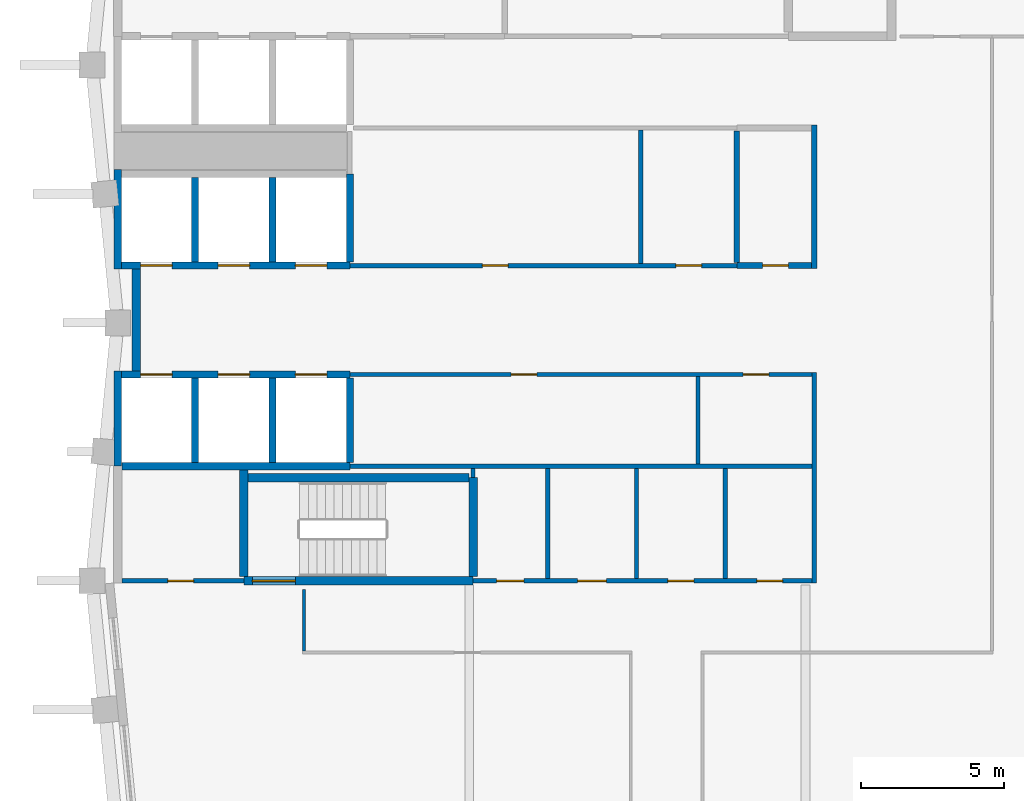
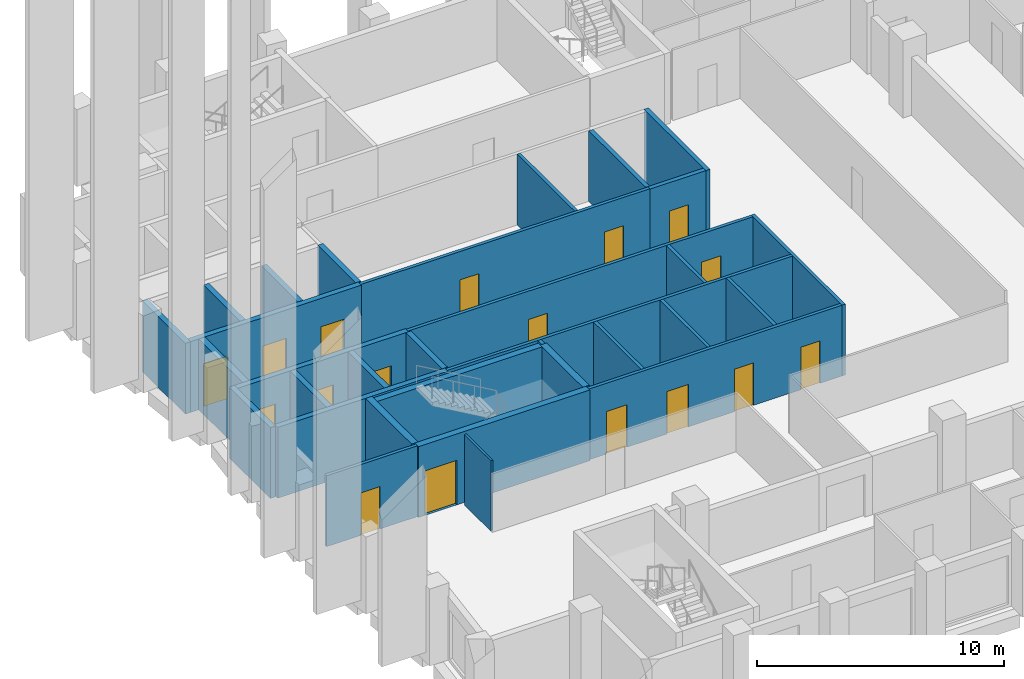
# One storey, part 5 of 11: 32 walls, 17 doors, 17 openings.
"""IFC4 building model written with IfcOpenShell, lengths in metres."""

from ifc_helpers import new_model, si_unit, direction, frame, frame_2d, origin, place, context, subcontext, project, spatial, rectangle, extrude, material, layer, layer_set, type_object, element, fill, save


model = new_model("IFC4")

# Units and contexts
model_context = context("Model", 3, precision=1e-05, world=origin(), true_north=direction((0.0, 1.0)))
body_context = subcontext(model_context, "Body", "Model", "MODEL_VIEW")
ifc_project = project(units=[si_unit("LENGTHUNIT", "METRE"), si_unit("AREAUNIT", "SQUARE_METRE"), si_unit("VOLUMEUNIT", "CUBIC_METRE"), si_unit("PLANEANGLEUNIT", "RADIAN"), si_unit("MASSUNIT", "GRAM", prefix="KILO")], contexts=[model_context])

# Site, building, storey
site_placement = place(None, origin())
site = spatial("IfcSite", under=ifc_project, at=site_placement, CompositionType="ELEMENT")
building_placement = place(site_placement, origin())
building = spatial("IfcBuilding", under=site, at=building_placement, Name="Brondeck Convention Tower", CompositionType="ELEMENT")
storey_placement = place(building_placement, frame((0.0, 0.0, 252.39990234375)))
storey = spatial("IfcBuildingStorey", under=building, at=storey_placement, Name="L62", CompositionType="ELEMENT", Elevation=252.39990234375)

# Wall, openings, doors
ifc_material_1 = material(Name="Concrete C50/60", Category="concrete")
ifc_layer_1 = layer(ifc_material_1, 0.14990234375)
ifc_layer_set_1 = layer_set([ifc_layer_1], Name="Core beam-seat wall 150 Concrete C50/60")
wall_type_1 = type_object("IfcWallType", Name="Core beam-seat wall 150 Concrete C50/60", PredefinedType="SHEAR", material=ifc_layer_set_1)
wall_1_placement = place(storey_placement, frame((12.39990234375, 36.0, 0.0), z_axis=(0.0, 0.0, 1.0), x_axis=(1.0, 0.0, 0.0)))
wall_1 = element("IfcWall", 1, at=wall_1_placement, inside=storey, type_object=wall_type_1, Name="L62 core wall", PredefinedType="SHEAR", context=body_context, shape_type="SweptSolid", body=[
    extrude(rectangle(XDim=11.8251953125, YDim=0.14990234375, at=frame_2d((5.91259765625, 0.0))), origin(), (0.0, 0.0, 1.0), 3.5),
])
opening_1_placement = place(wall_1_placement, frame((0.824951171875, 0.0, 0.0)))
opening_1 = element("IfcOpeningElement", 2, at=opening_1_placement, cuts=wall_1, Name="Opening C34-03", PredefinedType="OPENING", context=body_context, shape_type="SweptSolid", body=[
    extrude(rectangle(XDim=0.949951171875, YDim=2.10009765625, at=frame_2d((0.47509765625, 1.050048828125))), frame((0.0, 0.0849609375, 0.0), z_axis=(0.0, -1.0, 0.0), x_axis=(1.0, 0.0, 0.0)), (0.0, 0.0, 1.0), 0.169921875),
])
opening_2_placement = place(wall_1_placement, frame((3.64990234375, 0.0, 0.0)))
opening_2 = element("IfcOpeningElement", 3, at=opening_2_placement, cuts=wall_1, Name="Opening C34-04", PredefinedType="OPENING", context=body_context, shape_type="SweptSolid", body=[
    extrude(rectangle(XDim=1.0, YDim=2.10009765625, at=frame_2d((0.5, 1.050048828125))), frame((0.0, 0.0849609375, 0.0), z_axis=(0.0, -1.0, 0.0), x_axis=(1.0, 0.0, 0.0)), (0.0, 0.0, 1.0), 0.169921875),
])
opening_3_placement = place(wall_1_placement, frame((6.800048828125, 0.0, 0.0)))
opening_3 = element("IfcOpeningElement", 4, at=opening_3_placement, cuts=wall_1, Name="Opening C34-05", PredefinedType="OPENING", context=body_context, shape_type="SweptSolid", body=[
    extrude(rectangle(XDim=0.89990234375, YDim=2.10009765625, at=frame_2d((0.449951171875, 1.050048828125))), frame((0.0, 0.0849609375, 0.0), z_axis=(0.0, -1.0, 0.0), x_axis=(1.0, 0.0, 0.0)), (0.0, 0.0, 1.0), 0.169921875),
])
opening_4_placement = place(wall_1_placement, frame((9.89990234375, 0.0, 0.0)))
opening_4 = element("IfcOpeningElement", 5, at=opening_4_placement, cuts=wall_1, Name="Opening C34-06", PredefinedType="OPENING", context=body_context, shape_type="SweptSolid", body=[
    extrude(rectangle(XDim=0.89990234375, YDim=2.10009765625, at=frame_2d((0.449951171875, 1.050048828125))), frame((0.0, 0.0849609375, 0.0), z_axis=(0.0, -1.0, 0.0), x_axis=(1.0, 0.0, 0.0)), (0.0, 0.0, 1.0), 0.169921875),
])
ifc_material_2 = material(Name="Steel fire door", Category="steel")
door_type_1 = type_object("IfcDoorType", Name="Room door 1000x2100 EI 60", OperationType="NOTDEFINED", PredefinedType="DOOR", material=ifc_material_2)
door_1_placement = place(opening_2_placement, origin())
door_1 = element("IfcDoor", 6, at=door_1_placement, inside=storey, type_object=door_type_1, Name="L62 Room door FR-2", OperationType="SINGLE_SWING_LEFT", OverallHeight=2.10009765625, OverallWidth=1.0, PredefinedType="DOOR", context=body_context, shape_type="SweptSolid", body=[
    extrude(rectangle(XDim=1.0, YDim=2.10009765625, at=frame_2d((0.5, 1.050048828125))), frame((0.0, 0.02490234375, 0.0), z_axis=(0.0, -1.0, 0.0), x_axis=(1.0, 0.0, 0.0)), (0.0, 0.0, 1.0), 0.050048828125),
])
fill(opening_2, door_1)
door_type_2 = type_object("IfcDoorType", Name="Room door 900x2100 EI 60", OperationType="NOTDEFINED", PredefinedType="DOOR", material=ifc_material_2)
door_2_placement = place(opening_3_placement, origin())
door_2 = element("IfcDoor", 7, at=door_2_placement, inside=storey, type_object=door_type_2, Name="L62 Room door FR-3", OperationType="SINGLE_SWING_RIGHT", OverallHeight=2.10009765625, OverallWidth=0.89990234375, PredefinedType="DOOR", context=body_context, shape_type="SweptSolid", body=[
    extrude(rectangle(XDim=0.89990234375, YDim=2.10009765625, at=frame_2d((0.449951171875, 1.050048828125))), frame((0.0, 0.02490234375, 0.0), z_axis=(0.0, -1.0, 0.0), x_axis=(1.0, 0.0, 0.0)), (0.0, 0.0, 1.0), 0.050048828125),
])
fill(opening_3, door_2)
door_3_placement = place(opening_4_placement, origin())
door_3 = element("IfcDoor", 8, at=door_3_placement, inside=storey, type_object=door_type_2, Name="L62 Room door FR-4", OperationType="SINGLE_SWING_LEFT", OverallHeight=2.10009765625, OverallWidth=0.89990234375, PredefinedType="DOOR", context=body_context, shape_type="SweptSolid", body=[
    extrude(rectangle(XDim=0.89990234375, YDim=2.10009765625, at=frame_2d((0.449951171875, 1.050048828125))), frame((0.0, 0.02490234375, 0.0), z_axis=(0.0, -1.0, 0.0), x_axis=(1.0, 0.0, 0.0)), (0.0, 0.0, 1.0), 0.050048828125),
])
fill(opening_4, door_3)
door_type_3 = type_object("IfcDoorType", Name="Room door 950x2100 EI 60", OperationType="NOTDEFINED", PredefinedType="DOOR", material=ifc_material_2)
door_4_placement = place(opening_1_placement, origin())
door_4 = element("IfcDoor", 9, at=door_4_placement, inside=storey, type_object=door_type_3, Name="L62 Room door FR-1", OperationType="SINGLE_SWING_RIGHT", OverallHeight=2.10009765625, OverallWidth=0.949951171875, PredefinedType="DOOR", context=body_context, shape_type="SweptSolid", body=[
    extrude(rectangle(XDim=0.949951171875, YDim=2.10009765625, at=frame_2d((0.47509765625, 1.050048828125))), frame((0.0, 0.02490234375, 0.0), z_axis=(0.0, -1.0, 0.0), x_axis=(1.0, 0.0, 0.0)), (0.0, 0.0, 1.0), 0.050048828125),
])
fill(opening_1, door_4)

# Walls
ifc_layer_2 = layer(ifc_material_1, 0.199951171875)
ifc_layer_set_2 = layer_set([ifc_layer_2], Name="Core beam-seat wall 200 Concrete C50/60")
wall_type_2 = type_object("IfcWallType", Name="Core beam-seat wall 200 Concrete C50/60", PredefinedType="SHEAR", material=ifc_layer_set_2)
wall_2_placement = place(storey_placement, frame((24.300048828125, 46.89990234375, 0.0), z_axis=(0.0, 0.0, 1.0), x_axis=(0.0, 1.0, 0.0)))
element("IfcWall", 10, at=wall_2_placement, inside=storey, type_object=wall_type_2, Name="L62 core wall", PredefinedType="SHEAR", context=body_context, shape_type="SweptSolid", body=[
    extrude(rectangle(XDim=5.0, YDim=0.199951171875, at=frame_2d((2.5, 0.0))), origin(), (0.0, 0.0, 1.0), 3.5),
])
ifc_layer_3 = layer(ifc_material_1, 0.300048828125)
ifc_layer_set_3 = layer_set([ifc_layer_3], Name="Core outer wall 300 Concrete C50/60")
wall_type_3 = type_object("IfcWallType", Name="Core outer wall 300 Concrete C50/60", PredefinedType="SHEAR", material=ifc_layer_set_3)
wall_3_placement = place(storey_placement, frame((0.64990234375, 43.324951171875, 0.0), z_axis=(0.0, 0.0, 1.0), x_axis=(0.0, 1.0, 0.0)))
element("IfcWall", 11, at=wall_3_placement, inside=storey, type_object=wall_type_3, Name="L62 core wall", PredefinedType="SHEAR", context=body_context, shape_type="SweptSolid", body=[
    extrude(rectangle(XDim=3.550048828125, YDim=0.300048828125, at=frame_2d((1.77490234375, 0.0))), origin(), (0.0, 0.0, 1.0), 3.5),
])

# Wall, opening, door
ifc_material_3 = material(Name="Fire-rated gypsum board partition")
ifc_layer_4 = layer(ifc_material_3, 0.14990234375)
ifc_layer_set_4 = layer_set([ifc_layer_4], Name="Core partition 150 EI 60")
wall_type_4 = type_object("IfcWallType", Name="Core partition 150 EI 60", PredefinedType="PARTITIONING", material=ifc_layer_set_4)
wall_4_placement = place(storey_placement, frame((0.14990234375, 36.0, 0.0), z_axis=(0.0, 0.0, 1.0), x_axis=(1.0, 0.0, 0.0)))
wall_4 = element("IfcWall", 12, at=wall_4_placement, inside=storey, type_object=wall_type_4, Name="L62 core wall", PredefinedType="PARTITIONING", context=body_context, shape_type="SweptSolid", body=[
    extrude(rectangle(XDim=4.25, YDim=0.14990234375, at=frame_2d((2.125, 0.0))), origin(), (0.0, 0.0, 1.0), 3.5),
])
opening_5_placement = place(wall_4_placement, frame((1.60009765625, 0.0, 0.0)))
opening_5 = element("IfcOpeningElement", 13, at=opening_5_placement, cuts=wall_4, Name="Opening C34-07", PredefinedType="OPENING", context=body_context, shape_type="SweptSolid", body=[
    extrude(rectangle(XDim=0.89990234375, YDim=2.10009765625, at=frame_2d((0.449951171875, 1.050048828125))), frame((0.0, 0.0849609375, 0.0), z_axis=(0.0, -1.0, 0.0), x_axis=(1.0, 0.0, 0.0)), (0.0, 0.0, 1.0), 0.169921875),
])
door_5_placement = place(opening_5_placement, origin())
door_5 = element("IfcDoor", 14, at=door_5_placement, inside=storey, type_object=door_type_2, Name="L62 Room door FRW-1", OperationType="SINGLE_SWING_LEFT", OverallHeight=2.10009765625, OverallWidth=0.89990234375, PredefinedType="DOOR", context=body_context, shape_type="SweptSolid", body=[
    extrude(rectangle(XDim=0.89990234375, YDim=2.10009765625, at=frame_2d((0.449951171875, 1.050048828125))), frame((0.0, 0.02490234375, 0.0), z_axis=(0.0, -1.0, 0.0), x_axis=(1.0, 0.0, 0.0)), (0.0, 0.0, 1.0), 0.050048828125),
])
fill(opening_5, door_5)

# Wall
wall_5_placement = place(storey_placement, frame((8.10009765625, 40.0, 0.0), z_axis=(0.0, 0.0, 1.0), x_axis=(1.0, 0.0, 0.0)))
element("IfcWall", 15, at=wall_5_placement, inside=storey, type_object=wall_type_4, Name="L62 core wall", PredefinedType="PARTITIONING", context=body_context, shape_type="SweptSolid", body=[
    extrude(rectangle(XDim=16.125, YDim=0.14990234375, at=frame_2d((8.0625, 0.0))), origin(), (0.0, 0.0, 1.0), 3.5),
])

# Wall, openings, doors
wall_6_placement = place(storey_placement, frame((8.10009765625, 43.199951171875, 0.0), z_axis=(0.0, 0.0, 1.0), x_axis=(1.0, 0.0, 0.0)))
wall_6 = element("IfcWall", 16, at=wall_6_placement, inside=storey, type_object=wall_type_4, Name="L62 core wall", PredefinedType="PARTITIONING", context=body_context, shape_type="SweptSolid", body=[
    extrude(rectangle(XDim=16.125, YDim=0.14990234375, at=frame_2d((8.0625, 0.0))), origin(), (0.0, 0.0, 1.0), 3.5),
])
opening_6_placement = place(wall_6_placement, frame((5.625, 0.0, 0.0)))
opening_6 = element("IfcOpeningElement", 17, at=opening_6_placement, cuts=wall_6, Name="Opening C34-10", PredefinedType="OPENING", context=body_context, shape_type="SweptSolid", body=[
    extrude(rectangle(XDim=0.89990234375, YDim=2.10009765625, at=frame_2d((0.449951171875, 1.050048828125))), frame((0.0, 0.0849609375, 0.0), z_axis=(0.0, -1.0, 0.0), x_axis=(1.0, 0.0, 0.0)), (0.0, 0.0, 1.0), 0.169921875),
])
opening_7_placement = place(wall_6_placement, frame((13.72509765625, 0.0, 0.0)))
opening_7 = element("IfcOpeningElement", 18, at=opening_7_placement, cuts=wall_6, Name="Opening C34-11", PredefinedType="OPENING", context=body_context, shape_type="SweptSolid", body=[
    extrude(rectangle(XDim=0.89990234375, YDim=2.10009765625, at=frame_2d((0.449951171875, 1.050048828125))), frame((0.0, 0.0849609375, 0.0), z_axis=(0.0, -1.0, 0.0), x_axis=(1.0, 0.0, 0.0)), (0.0, 0.0, 1.0), 0.169921875),
])
door_6_placement = place(opening_6_placement, origin())
door_6 = element("IfcDoor", 19, at=door_6_placement, inside=storey, type_object=door_type_2, Name="L62 Room door FZ-S-8.1-1", OperationType="SINGLE_SWING_RIGHT", OverallHeight=2.10009765625, OverallWidth=0.89990234375, PredefinedType="DOOR", context=body_context, shape_type="SweptSolid", body=[
    extrude(rectangle(XDim=0.89990234375, YDim=2.10009765625, at=frame_2d((0.449951171875, 1.050048828125))), frame((0.0, 0.02490234375, 0.0), z_axis=(0.0, -1.0, 0.0), x_axis=(1.0, 0.0, 0.0)), (0.0, 0.0, 1.0), 0.050048828125),
])
fill(opening_6, door_6)
door_7_placement = place(opening_7_placement, origin())
door_7 = element("IfcDoor", 20, at=door_7_placement, inside=storey, type_object=door_type_2, Name="L62 Room door FZ-S-8.1-2", OperationType="SINGLE_SWING_LEFT", OverallHeight=2.10009765625, OverallWidth=0.89990234375, PredefinedType="DOOR", context=body_context, shape_type="SweptSolid", body=[
    extrude(rectangle(XDim=0.89990234375, YDim=2.10009765625, at=frame_2d((0.449951171875, 1.050048828125))), frame((0.0, 0.02490234375, 0.0), z_axis=(0.0, -1.0, 0.0), x_axis=(1.0, 0.0, 0.0)), (0.0, 0.0, 1.0), 0.050048828125),
])
fill(opening_7, door_7)

wall_7_placement = place(storey_placement, frame((8.10009765625, 47.0, 0.0), z_axis=(0.0, 0.0, 1.0), x_axis=(1.0, 0.0, 0.0)))
wall_7 = element("IfcWall", 21, at=wall_7_placement, inside=storey, type_object=wall_type_4, Name="L62 core wall", PredefinedType="PARTITIONING", context=body_context, shape_type="SweptSolid", body=[
    extrude(rectangle(XDim=13.5, YDim=0.14990234375, at=frame_2d((6.75, 0.0))), origin(), (0.0, 0.0, 1.0), 3.5),
])
opening_8_placement = place(wall_7_placement, frame((4.625, 0.0, 0.0)))
opening_8 = element("IfcOpeningElement", 22, at=opening_8_placement, cuts=wall_7, Name="Opening C34-08", PredefinedType="OPENING", context=body_context, shape_type="SweptSolid", body=[
    extrude(rectangle(XDim=0.89990234375, YDim=2.10009765625, at=frame_2d((0.449951171875, 1.050048828125))), frame((0.0, 0.0849609375, 0.0), z_axis=(0.0, -1.0, 0.0), x_axis=(1.0, 0.0, 0.0)), (0.0, 0.0, 1.0), 0.169921875),
])
opening_9_placement = place(wall_7_placement, frame((11.375, 0.0, 0.0)))
opening_9 = element("IfcOpeningElement", 23, at=opening_9_placement, cuts=wall_7, Name="Opening C34-09", PredefinedType="OPENING", context=body_context, shape_type="SweptSolid", body=[
    extrude(rectangle(XDim=0.89990234375, YDim=2.10009765625, at=frame_2d((0.449951171875, 1.050048828125))), frame((0.0, 0.0849609375, 0.0), z_axis=(0.0, -1.0, 0.0), x_axis=(1.0, 0.0, 0.0)), (0.0, 0.0, 1.0), 0.169921875),
])
door_8_placement = place(opening_8_placement, origin())
door_8 = element("IfcDoor", 24, at=door_8_placement, inside=storey, type_object=door_type_2, Name="L62 Room door FZ-N-8.1-1", OperationType="SINGLE_SWING_LEFT", OverallHeight=2.10009765625, OverallWidth=0.89990234375, PredefinedType="DOOR", context=body_context, shape_type="SweptSolid", body=[
    extrude(rectangle(XDim=0.89990234375, YDim=2.10009765625, at=frame_2d((0.449951171875, 1.050048828125))), frame((0.0, 0.02490234375, 0.0), z_axis=(0.0, -1.0, 0.0), x_axis=(1.0, 0.0, 0.0)), (0.0, 0.0, 1.0), 0.050048828125),
])
fill(opening_8, door_8)
door_9_placement = place(opening_9_placement, origin())
door_9 = element("IfcDoor", 25, at=door_9_placement, inside=storey, type_object=door_type_2, Name="L62 Room door FZ-N-8.1-2", OperationType="SINGLE_SWING_RIGHT", OverallHeight=2.10009765625, OverallWidth=0.89990234375, PredefinedType="DOOR", context=body_context, shape_type="SweptSolid", body=[
    extrude(rectangle(XDim=0.89990234375, YDim=2.10009765625, at=frame_2d((0.449951171875, 1.050048828125))), frame((0.0, 0.02490234375, 0.0), z_axis=(0.0, -1.0, 0.0), x_axis=(1.0, 0.0, 0.0)), (0.0, 0.0, 1.0), 0.050048828125),
])
fill(opening_9, door_9)

# Walls
wall_8_placement = place(storey_placement, frame((12.39990234375, 39.60009765625, 0.0), z_axis=(0.0, 0.0, 1.0), x_axis=(0.0, 1.0, 0.0)))
element("IfcWall", 26, at=wall_8_placement, inside=storey, type_object=wall_type_4, Name="L62 core wall", PredefinedType="PARTITIONING", context=body_context, shape_type="SweptSolid", body=[
    extrude(rectangle(XDim=0.324951171875, YDim=0.14990234375, at=frame_2d((0.16259765625, 0.0))), origin(), (0.0, 0.0, 1.0), 3.5),
])
for number, where, z_axis, x_axis, name in (
    (27, (15.0, 36.074951171875, 0.0), (0.0, 0.0, 1.0), (0.0, 1.0, 0.0), "L62 core wall"),
    (28, (18.10009765625, 36.074951171875, 0.0), (0.0, 0.0, 1.0), (0.0, 1.0, 0.0), "L62 core wall"),
):
    element("IfcWall", number, at=place(storey_placement, frame(where, z_axis=z_axis, x_axis=x_axis)), inside=storey, type_object=wall_type_4, Name=name, PredefinedType="PARTITIONING", context=body_context, shape_type="SweptSolid", body=[
        extrude(rectangle(XDim=3.85009765625, YDim=0.14990234375, at=frame_2d((1.925048828125, 0.0))), origin(), (0.0, 0.0, 1.0), 3.5),
    ])
wall_9_placement = place(storey_placement, frame((18.25, 47.074951171875, 0.0), z_axis=(0.0, 0.0, 1.0), x_axis=(0.0, 1.0, 0.0)))
element("IfcWall", 29, at=wall_9_placement, inside=storey, type_object=wall_type_4, Name="L62 core wall", PredefinedType="PARTITIONING", context=body_context, shape_type="SweptSolid", body=[
    extrude(rectangle(XDim=4.650146484375, YDim=0.14990234375, at=frame_2d((2.3251953125, 0.0))), origin(), (0.0, 0.0, 1.0), 3.5),
])
wall_10_placement = place(storey_placement, frame((20.25, 40.074951171875, 0.0), z_axis=(0.0, 0.0, 1.0), x_axis=(0.0, 1.0, 0.0)))
element("IfcWall", 30, at=wall_10_placement, inside=storey, type_object=wall_type_4, Name="L62 core wall", PredefinedType="PARTITIONING", context=body_context, shape_type="SweptSolid", body=[
    extrude(rectangle(XDim=3.050048828125, YDim=0.14990234375, at=frame_2d((1.52490234375, 0.0))), origin(), (0.0, 0.0, 1.0), 3.5),
])
wall_11_placement = place(storey_placement, frame((21.199951171875, 36.074951171875, 0.0), z_axis=(0.0, 0.0, 1.0), x_axis=(0.0, 1.0, 0.0)))
element("IfcWall", 31, at=wall_11_placement, inside=storey, type_object=wall_type_4, Name="L62 core wall", PredefinedType="PARTITIONING", context=body_context, shape_type="SweptSolid", body=[
    extrude(rectangle(XDim=3.85009765625, YDim=0.14990234375, at=frame_2d((1.925048828125, 0.0))), origin(), (0.0, 0.0, 1.0), 3.5),
])
wall_12_placement = place(storey_placement, frame((24.300048828125, 35.925048828125, 0.0), z_axis=(0.0, 0.0, 1.0), x_axis=(0.0, 1.0, 0.0)))
element("IfcWall", 32, at=wall_12_placement, inside=storey, type_object=wall_type_4, Name="L62 core wall", PredefinedType="PARTITIONING", context=body_context, shape_type="SweptSolid", body=[
    extrude(rectangle(XDim=7.349853515625, YDim=0.14990234375, at=frame_2d((3.6748046875, 0.0))), origin(), (0.0, 0.0, 1.0), 3.5),
])
ifc_layer_5 = layer(ifc_material_1, 0.25)
ifc_layer_set_5 = layer_set([ifc_layer_5], Name="Lift shaft wall 250 Concrete C50/60")
wall_type_5 = type_object("IfcWallType", Name="Lift shaft wall 250 Concrete C50/60", PredefinedType="SHEAR", material=ifc_layer_set_5)
wall_13_placement = place(storey_placement, frame((0.14990234375, 40.0, 0.0), z_axis=(0.0, 0.0, 1.0), x_axis=(1.0, 0.0, 0.0)))
element("IfcWall", 33, at=wall_13_placement, inside=storey, type_object=wall_type_5, Name="L62 core wall", PredefinedType="SHEAR", context=body_context, shape_type="SweptSolid", body=[
    extrude(rectangle(XDim=7.9501953125, YDim=0.25, at=frame_2d((3.97509765625, 0.0))), origin(), (0.0, 0.0, 1.0), 3.5),
])

# Wall, openings, doors
wall_14_placement = place(storey_placement, frame((0.125, 43.199951171875, 0.0), z_axis=(0.0, 0.0, 1.0), x_axis=(1.0, 0.0, 0.0)))
wall_14 = element("IfcWall", 34, at=wall_14_placement, inside=storey, type_object=wall_type_5, Name="L62 core wall", PredefinedType="SHEAR", context=body_context, shape_type="SweptSolid", body=[
    extrude(rectangle(XDim=7.97509765625, YDim=0.25, at=frame_2d((3.987548828125, 0.0))), origin(), (0.0, 0.0, 1.0), 3.5),
])
opening_10_placement = place(wall_14_placement, frame((0.675048828125, 0.0, 0.0)))
opening_10 = element("IfcOpeningElement", 35, at=opening_10_placement, cuts=wall_14, Name="Opening C34-21", PredefinedType="OPENING", context=body_context, shape_type="SweptSolid", body=[
    extrude(rectangle(XDim=1.10009765625, YDim=2.10009765625, at=frame_2d((0.550048828125, 1.050048828125))), frame((0.0, 0.135009765625, 0.0), z_axis=(0.0, -1.0, 0.0), x_axis=(1.0, 0.0, 0.0)), (0.0, 0.0, 1.0), 0.27001953125),
])
opening_11_placement = place(wall_14_placement, frame((3.375, 0.0, 0.0)))
opening_11 = element("IfcOpeningElement", 36, at=opening_11_placement, cuts=wall_14, Name="Opening C34-22", PredefinedType="OPENING", context=body_context, shape_type="SweptSolid", body=[
    extrude(rectangle(XDim=1.10009765625, YDim=2.10009765625, at=frame_2d((0.550048828125, 1.050048828125))), frame((0.0, 0.135009765625, 0.0), z_axis=(0.0, -1.0, 0.0), x_axis=(1.0, 0.0, 0.0)), (0.0, 0.0, 1.0), 0.27001953125),
])
opening_12_placement = place(wall_14_placement, frame((6.074951171875, 0.0, 0.0)))
opening_12 = element("IfcOpeningElement", 37, at=opening_12_placement, cuts=wall_14, Name="Opening C34-23", PredefinedType="OPENING", context=body_context, shape_type="SweptSolid", body=[
    extrude(rectangle(XDim=1.10009765625, YDim=2.10009765625, at=frame_2d((0.550048828125, 1.050048828125))), frame((0.0, 0.135009765625, 0.0), z_axis=(0.0, -1.0, 0.0), x_axis=(1.0, 0.0, 0.0)), (0.0, 0.0, 1.0), 0.27001953125),
])
ifc_material_4 = material(Name="Stainless steel lift door", Category="steel")
door_type_4 = type_object("IfcDoorType", Name="Lift landing door 1100x2100 EI 180", OperationType="DOUBLE_DOOR_SLIDING", PredefinedType="DOOR", material=ifc_material_4)
door_10_placement = place(opening_10_placement, origin())
door_10 = element("IfcDoor", 38, at=door_10_placement, inside=storey, type_object=door_type_4, Name="L62 Lift landing door HR1", OperationType="DOUBLE_DOOR_SLIDING", OverallHeight=2.10009765625, OverallWidth=1.10009765625, PredefinedType="DOOR", context=body_context, shape_type="SweptSolid", body=[
    extrude(rectangle(XDim=1.10009765625, YDim=2.10009765625, at=frame_2d((0.550048828125, 1.050048828125))), frame((0.0, 0.02490234375, 0.0), z_axis=(0.0, -1.0, 0.0), x_axis=(1.0, 0.0, 0.0)), (0.0, 0.0, 1.0), 0.050048828125),
])
fill(opening_10, door_10)
door_11_placement = place(opening_11_placement, origin())
door_11 = element("IfcDoor", 39, at=door_11_placement, inside=storey, type_object=door_type_4, Name="L62 Lift landing door HR2", OperationType="DOUBLE_DOOR_SLIDING", OverallHeight=2.10009765625, OverallWidth=1.10009765625, PredefinedType="DOOR", context=body_context, shape_type="SweptSolid", body=[
    extrude(rectangle(XDim=1.10009765625, YDim=2.10009765625, at=frame_2d((0.550048828125, 1.050048828125))), frame((0.0, 0.02490234375, 0.0), z_axis=(0.0, -1.0, 0.0), x_axis=(1.0, 0.0, 0.0)), (0.0, 0.0, 1.0), 0.050048828125),
])
fill(opening_11, door_11)
door_12_placement = place(opening_12_placement, origin())
door_12 = element("IfcDoor", 40, at=door_12_placement, inside=storey, type_object=door_type_4, Name="L62 Lift landing door HR3", OperationType="DOUBLE_DOOR_SLIDING", OverallHeight=2.10009765625, OverallWidth=1.10009765625, PredefinedType="DOOR", context=body_context, shape_type="SweptSolid", body=[
    extrude(rectangle(XDim=1.10009765625, YDim=2.10009765625, at=frame_2d((0.550048828125, 1.050048828125))), frame((0.0, 0.02490234375, 0.0), z_axis=(0.0, -1.0, 0.0), x_axis=(1.0, 0.0, 0.0)), (0.0, 0.0, 1.0), 0.050048828125),
])
fill(opening_12, door_12)

wall_15_placement = place(storey_placement, frame((0.125, 47.0, 0.0), z_axis=(0.0, 0.0, 1.0), x_axis=(1.0, 0.0, 0.0)))
wall_15 = element("IfcWall", 41, at=wall_15_placement, inside=storey, type_object=wall_type_5, Name="L62 core wall", PredefinedType="SHEAR", context=body_context, shape_type="SweptSolid", body=[
    extrude(rectangle(XDim=7.97509765625, YDim=0.25, at=frame_2d((3.987548828125, 0.0))), origin(), (0.0, 0.0, 1.0), 3.5),
])
opening_13_placement = place(wall_15_placement, frame((0.675048828125, 0.0, 0.0)))
opening_13 = element("IfcOpeningElement", 42, at=opening_13_placement, cuts=wall_15, Name="Opening C34-24", PredefinedType="OPENING", context=body_context, shape_type="SweptSolid", body=[
    extrude(rectangle(XDim=1.10009765625, YDim=2.10009765625, at=frame_2d((0.550048828125, 1.050048828125))), frame((0.0, 0.135009765625, 0.0), z_axis=(0.0, -1.0, 0.0), x_axis=(1.0, 0.0, 0.0)), (0.0, 0.0, 1.0), 0.27001953125),
])
opening_14_placement = place(wall_15_placement, frame((3.375, 0.0, 0.0)))
opening_14 = element("IfcOpeningElement", 43, at=opening_14_placement, cuts=wall_15, Name="Opening C34-25", PredefinedType="OPENING", context=body_context, shape_type="SweptSolid", body=[
    extrude(rectangle(XDim=1.10009765625, YDim=2.10009765625, at=frame_2d((0.550048828125, 1.050048828125))), frame((0.0, 0.135009765625, 0.0), z_axis=(0.0, -1.0, 0.0), x_axis=(1.0, 0.0, 0.0)), (0.0, 0.0, 1.0), 0.27001953125),
])
opening_15_placement = place(wall_15_placement, frame((6.074951171875, 0.0, 0.0)))
opening_15 = element("IfcOpeningElement", 44, at=opening_15_placement, cuts=wall_15, Name="Opening C34-26", PredefinedType="OPENING", context=body_context, shape_type="SweptSolid", body=[
    extrude(rectangle(XDim=1.10009765625, YDim=2.10009765625, at=frame_2d((0.550048828125, 1.050048828125))), frame((0.0, 0.135009765625, 0.0), z_axis=(0.0, -1.0, 0.0), x_axis=(1.0, 0.0, 0.0)), (0.0, 0.0, 1.0), 0.27001953125),
])
door_13_placement = place(opening_13_placement, origin())
door_13 = element("IfcDoor", 45, at=door_13_placement, inside=storey, type_object=door_type_4, Name="L62 Lift landing door HR4", OperationType="DOUBLE_DOOR_SLIDING", OverallHeight=2.10009765625, OverallWidth=1.10009765625, PredefinedType="DOOR", context=body_context, shape_type="SweptSolid", body=[
    extrude(rectangle(XDim=1.10009765625, YDim=2.10009765625, at=frame_2d((0.550048828125, 1.050048828125))), frame((0.0, 0.02490234375, 0.0), z_axis=(0.0, -1.0, 0.0), x_axis=(1.0, 0.0, 0.0)), (0.0, 0.0, 1.0), 0.050048828125),
])
fill(opening_13, door_13)
door_14_placement = place(opening_14_placement, origin())
door_14 = element("IfcDoor", 46, at=door_14_placement, inside=storey, type_object=door_type_4, Name="L62 Lift landing door HR5", OperationType="DOUBLE_DOOR_SLIDING", OverallHeight=2.10009765625, OverallWidth=1.10009765625, PredefinedType="DOOR", context=body_context, shape_type="SweptSolid", body=[
    extrude(rectangle(XDim=1.10009765625, YDim=2.10009765625, at=frame_2d((0.550048828125, 1.050048828125))), frame((0.0, 0.02490234375, 0.0), z_axis=(0.0, -1.0, 0.0), x_axis=(1.0, 0.0, 0.0)), (0.0, 0.0, 1.0), 0.050048828125),
])
fill(opening_14, door_14)
door_15_placement = place(opening_15_placement, origin())
door_15 = element("IfcDoor", 47, at=door_15_placement, inside=storey, type_object=door_type_4, Name="L62 Lift landing door HR6", OperationType="DOUBLE_DOOR_SLIDING", OverallHeight=2.10009765625, OverallWidth=1.10009765625, PredefinedType="DOOR", context=body_context, shape_type="SweptSolid", body=[
    extrude(rectangle(XDim=1.10009765625, YDim=2.10009765625, at=frame_2d((0.550048828125, 1.050048828125))), frame((0.0, 0.02490234375, 0.0), z_axis=(0.0, -1.0, 0.0), x_axis=(1.0, 0.0, 0.0)), (0.0, 0.0, 1.0), 0.050048828125),
])
fill(opening_15, door_15)

# Walls
wall_16_placement = place(storey_placement, frame((0.0, 40.0, 0.0), z_axis=(0.0, 0.0, 1.0), x_axis=(0.0, 1.0, 0.0)))
element("IfcWall", 48, at=wall_16_placement, inside=storey, type_object=wall_type_5, Name="L62 core wall", PredefinedType="SHEAR", context=body_context, shape_type="SweptSolid", body=[
    extrude(rectangle(XDim=3.324951171875, YDim=0.25, at=frame_2d((1.66259765625, 0.0))), origin(), (0.0, 0.0, 1.0), 3.5),
])
wall_17_placement = place(storey_placement, frame((0.0, 46.875, 0.0), z_axis=(0.0, 0.0, 1.0), x_axis=(0.0, 1.0, 0.0)))
element("IfcWall", 49, at=wall_17_placement, inside=storey, type_object=wall_type_5, Name="L62 core wall", PredefinedType="SHEAR", context=body_context, shape_type="SweptSolid", body=[
    extrude(rectangle(XDim=3.47509765625, YDim=0.25, at=frame_2d((1.737548828125, 0.0))), origin(), (0.0, 0.0, 1.0), 3.5),
])
for number, where, z_axis, x_axis, name in (
    (50, (2.699951171875, 40.125, 0.0), (0.0, 0.0, 1.0), (0.0, 1.0, 0.0), "L62 core wall"),
    (51, (2.699951171875, 47.125, 0.0), (0.0, 0.0, 1.0), (0.0, 1.0, 0.0), "L62 core wall"),
    (52, (5.39990234375, 40.125, 0.0), (0.0, 0.0, 1.0), (0.0, 1.0, 0.0), "L62 core wall"),
    (53, (5.39990234375, 47.125, 0.0), (0.0, 0.0, 1.0), (0.0, 1.0, 0.0), "L62 core wall"),
    (54, (8.10009765625, 40.125, 0.0), (0.0, 0.0, 1.0), (0.0, 1.0, 0.0), "L62 core wall"),
):
    element("IfcWall", number, at=place(storey_placement, frame(where, z_axis=z_axis, x_axis=x_axis)), inside=storey, type_object=wall_type_5, Name=name, PredefinedType="SHEAR", context=body_context, shape_type="SweptSolid", body=[
        extrude(rectangle(XDim=2.949951171875, YDim=0.25, at=frame_2d((1.47509765625, 0.0))), origin(), (0.0, 0.0, 1.0), 3.5),
    ])
wall_18_placement = place(storey_placement, frame((8.10009765625, 47.125, 0.0), z_axis=(0.0, 0.0, 1.0), x_axis=(0.0, 1.0, 0.0)))
element("IfcWall", 55, at=wall_18_placement, inside=storey, type_object=wall_type_5, Name="L62 core wall", PredefinedType="SHEAR", context=body_context, shape_type="SweptSolid", body=[
    extrude(rectangle(XDim=3.074951171875, YDim=0.25, at=frame_2d((1.53759765625, 0.0))), origin(), (0.0, 0.0, 1.0), 3.5),
])

# Wall, opening, door
ifc_layer_6 = layer(ifc_material_3, 0.199951171875)
ifc_layer_set_6 = layer_set([ifc_layer_6], Name="Riser wall 200 EI 120")
wall_type_6 = type_object("IfcWallType", Name="Riser wall 200 EI 120", PredefinedType="PARTITIONING", material=ifc_layer_set_6)
wall_19_placement = place(storey_placement, frame((21.60009765625, 47.0, 0.0), z_axis=(0.0, 0.0, 1.0), x_axis=(1.0, 0.0, 0.0)))
wall_19 = element("IfcWall", 56, at=wall_19_placement, inside=storey, type_object=wall_type_6, Name="L62 core wall", PredefinedType="PARTITIONING", context=body_context, shape_type="SweptSolid", body=[
    extrude(rectangle(XDim=2.599853515625, YDim=0.199951171875, at=frame_2d((1.2998046875, 0.0))), origin(), (0.0, 0.0, 1.0), 3.5),
])
opening_16_placement = place(wall_19_placement, frame((0.89990234375, 0.0, 0.0)))
opening_16 = element("IfcOpeningElement", 57, at=opening_16_placement, cuts=wall_19, Name="Opening C34-02", PredefinedType="OPENING", context=body_context, shape_type="SweptSolid", body=[
    extrude(rectangle(XDim=0.89990234375, YDim=2.10009765625, at=frame_2d((0.449951171875, 1.050048828125))), frame((0.0, 0.10986328125, 0.0), z_axis=(0.0, -1.0, 0.0), x_axis=(1.0, 0.0, 0.0)), (0.0, 0.0, 1.0), 0.219970703125),
])
door_type_5 = type_object("IfcDoorType", Name="Riser door 900x2100 EI 120", OperationType="NOTDEFINED", PredefinedType="DOOR", material=ifc_material_2)
door_16_placement = place(opening_16_placement, origin())
door_16 = element("IfcDoor", 58, at=door_16_placement, inside=storey, type_object=door_type_5, Name="L62 Riser door EN-1", OperationType="SINGLE_SWING_LEFT", OverallHeight=2.10009765625, OverallWidth=0.89990234375, PredefinedType="DOOR", context=body_context, shape_type="SweptSolid", body=[
    extrude(rectangle(XDim=0.89990234375, YDim=2.10009765625, at=frame_2d((0.449951171875, 1.050048828125))), frame((0.0, 0.02490234375, 0.0), z_axis=(0.0, -1.0, 0.0), x_axis=(1.0, 0.0, 0.0)), (0.0, 0.0, 1.0), 0.050048828125),
])
fill(opening_16, door_16)

# Walls
wall_20_placement = place(storey_placement, frame((21.60009765625, 47.10009765625, 0.0), z_axis=(0.0, 0.0, 1.0), x_axis=(0.0, 1.0, 0.0)))
element("IfcWall", 59, at=wall_20_placement, inside=storey, type_object=wall_type_6, Name="L62 core wall", PredefinedType="PARTITIONING", context=body_context, shape_type="SweptSolid", body=[
    extrude(rectangle(XDim=4.599853515625, YDim=0.199951171875, at=frame_2d((2.2998046875, 0.0))), origin(), (0.0, 0.0, 1.0), 3.5),
])
ifc_material_5 = material(Name="Gypsum board partition on steel studs", Category="steel")
ifc_layer_7 = layer(ifc_material_5, 0.10009765625)
ifc_layer_set_7 = layer_set([ifc_layer_7], Name="Room partition 100")
wall_type_7 = type_object("IfcWallType", Name="Room partition 100", PredefinedType="PARTITIONING", material=ifc_layer_set_7)
wall_21_placement = place(storey_placement, frame((6.5, 33.550048828125, 0.0), z_axis=(0.0, 0.0, 1.0), x_axis=(0.0, 1.0, 0.0)))
element("IfcWall", 60, at=wall_21_placement, inside=storey, type_object=wall_type_7, Name="FLR-L62-W026", PredefinedType="PARTITIONING", context=body_context, shape_type="SweptSolid", body=[
    extrude(rectangle(XDim=2.14990234375, YDim=0.10009765625, at=frame_2d((1.074951171875, 0.0))), origin(), (0.0, 0.0, 1.0), 3.47998046875),
])

# Wall, opening, door
ifc_layer_8 = layer(ifc_material_1, 0.300048828125)
ifc_layer_set_8 = layer_set([ifc_layer_8], Name="Stair enclosure wall 300 Concrete C50/60")
wall_type_8 = type_object("IfcWallType", Name="Stair enclosure wall 300 Concrete C50/60", PredefinedType="SHEAR", material=ifc_layer_set_8)
wall_22_placement = place(storey_placement, frame((4.39990234375, 36.0, 0.0), z_axis=(0.0, 0.0, 1.0), x_axis=(1.0, 0.0, 0.0)))
wall_22 = element("IfcWall", 61, at=wall_22_placement, inside=storey, type_object=wall_type_8, Name="L62 core wall", PredefinedType="SHEAR", context=body_context, shape_type="SweptSolid", body=[
    extrude(rectangle(XDim=8.0, YDim=0.300048828125, at=frame_2d((4.0, 0.0))), origin(), (0.0, 0.0, 1.0), 3.5),
])
opening_17_placement = place(wall_22_placement, frame((0.300048828125, 0.0, 0.0)))
opening_17 = element("IfcOpeningElement", 62, at=opening_17_placement, cuts=wall_22, Name="Opening C34-13", PredefinedType="OPENING", context=body_context, shape_type="SweptSolid", body=[
    extrude(rectangle(XDim=1.5, YDim=2.199951171875, at=frame_2d((0.75, 1.10009765625))), frame((0.0, 0.159912109375, 0.0), z_axis=(0.0, -1.0, 0.0), x_axis=(1.0, 0.0, 0.0)), (0.0, 0.0, 1.0), 0.320068359375),
])
door_type_6 = type_object("IfcDoorType", Name="Stair door 1500x2200 EI 90", OperationType="NOTDEFINED", PredefinedType="DOOR", material=ifc_material_2)
door_17_placement = place(opening_17_placement, origin())
door_17 = element("IfcDoor", 63, at=door_17_placement, inside=storey, type_object=door_type_6, Name="L62 Stair door ST-1", OperationType="SINGLE_SWING_RIGHT", OverallHeight=2.199951171875, OverallWidth=1.5, PredefinedType="DOOR", context=body_context, shape_type="SweptSolid", body=[
    extrude(rectangle(XDim=1.5, YDim=2.199951171875, at=frame_2d((0.75, 1.10009765625))), frame((0.0, 0.02490234375, 0.0), z_axis=(0.0, -1.0, 0.0), x_axis=(1.0, 0.0, 0.0)), (0.0, 0.0, 1.0), 0.050048828125),
])
fill(opening_17, door_17)

# Walls
wall_23_placement = place(storey_placement, frame((4.550048828125, 39.60009765625, 0.0), z_axis=(0.0, 0.0, 1.0), x_axis=(1.0, 0.0, 0.0)))
element("IfcWall", 64, at=wall_23_placement, inside=storey, type_object=wall_type_8, Name="L62 core wall", PredefinedType="SHEAR", context=body_context, shape_type="SweptSolid", body=[
    extrude(rectangle(XDim=7.699951171875, YDim=0.300048828125, at=frame_2d((3.85009765625, 0.0))), origin(), (0.0, 0.0, 1.0), 3.5),
])
wall_24_placement = place(storey_placement, frame((4.39990234375, 36.14990234375, 0.0), z_axis=(0.0, 0.0, 1.0), x_axis=(0.0, 1.0, 0.0)))
element("IfcWall", 65, at=wall_24_placement, inside=storey, type_object=wall_type_8, Name="L62 core wall", PredefinedType="SHEAR", context=body_context, shape_type="SweptSolid", body=[
    extrude(rectangle(XDim=3.72509765625, YDim=0.300048828125, at=frame_2d((1.862548828125, 0.0))), origin(), (0.0, 0.0, 1.0), 3.5),
])
wall_25_placement = place(storey_placement, frame((12.39990234375, 36.14990234375, 0.0), z_axis=(0.0, 0.0, 1.0), x_axis=(0.0, 1.0, 0.0)))
element("IfcWall", 66, at=wall_25_placement, inside=storey, type_object=wall_type_8, Name="L62 core wall", PredefinedType="SHEAR", context=body_context, shape_type="SweptSolid", body=[
    extrude(rectangle(XDim=3.4501953125, YDim=0.300048828125, at=frame_2d((1.72509765625, 0.0))), origin(), (0.0, 0.0, 1.0), 3.5),
])

save(model, "model.ifc")
